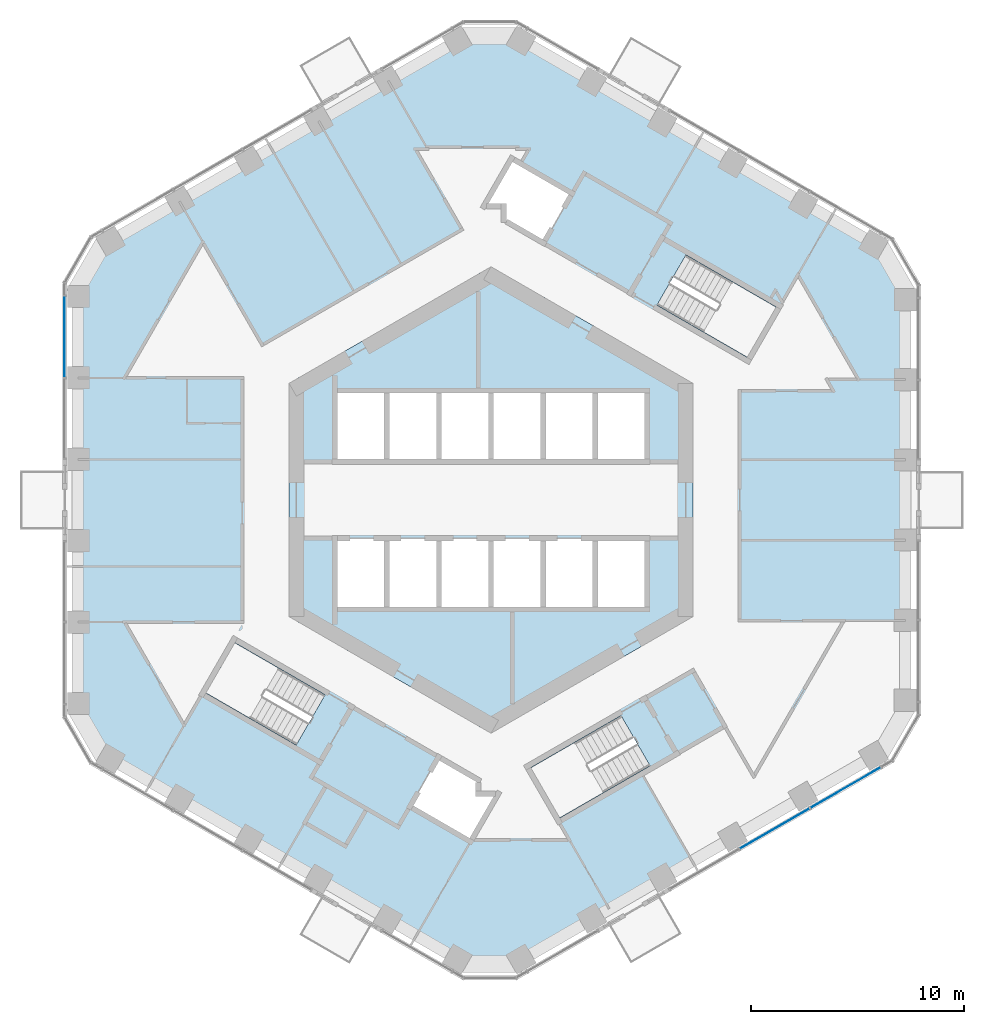
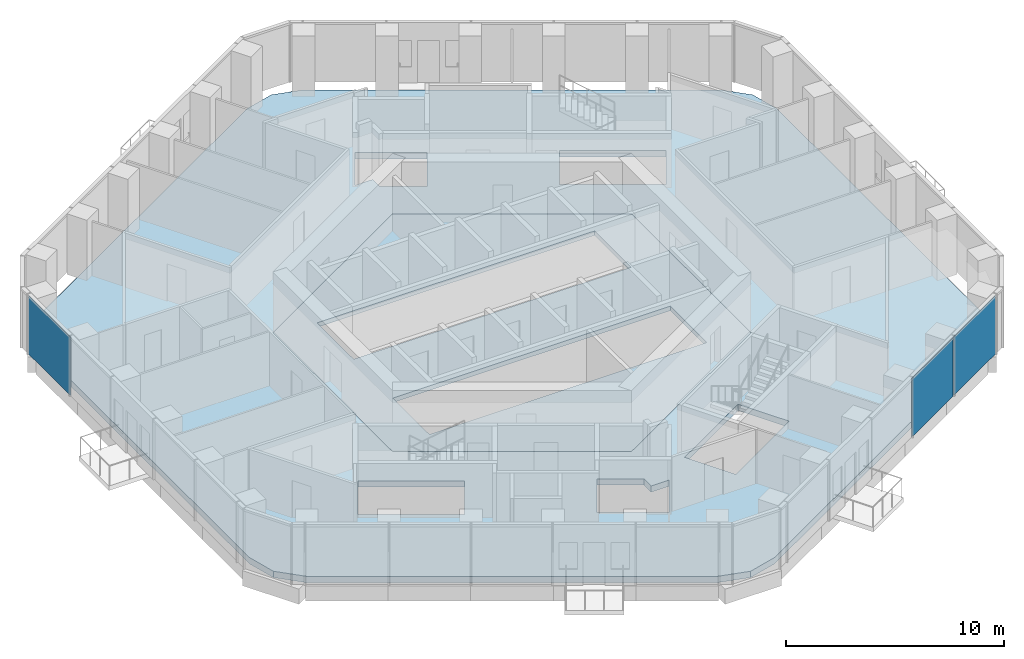
# One storey, part 10 of 20: 3 plates, 2 slabs, 2 elements without a shape of their own.
"""IFC4 building model written with IfcOpenShell, lengths in metres."""

from ifc_helpers import new_model, si_unit, direction, frame, origin, origin_2d, place, context, subcontext, project, spatial, polyline, rectangle, outline, extrude, material, layer, layer_set, type_object, element, aggregate, save


model = new_model("IFC4")

# Units and contexts
model_context = context("Model", 3, precision=1e-05, world=origin(), true_north=direction((0.0, 1.0)))
body_context = subcontext(model_context, "Body", "Model", "MODEL_VIEW")
ifc_project = project(units=[si_unit("LENGTHUNIT", "METRE"), si_unit("AREAUNIT", "SQUARE_METRE"), si_unit("VOLUMEUNIT", "CUBIC_METRE"), si_unit("PLANEANGLEUNIT", "RADIAN"), si_unit("MASSUNIT", "GRAM", prefix="KILO")], contexts=[model_context])

# Site, building, storey
site_placement = place(None, origin())
site = spatial("IfcSite", under=ifc_project, at=site_placement, CompositionType="ELEMENT")
building_placement = place(site_placement, origin())
building = spatial("IfcBuilding", under=site, at=building_placement, Name="Ayvan Gate Tower", CompositionType="ELEMENT")
storey_placement = place(building_placement, frame((0.0, 0.0, 86.5)))
storey = spatial("IfcBuildingStorey", under=building, at=storey_placement, Name="L22", CompositionType="ELEMENT", Elevation=86.5)

# Slabs
ifc_material_1 = material(Name="Concrete C40/50", Category="concrete")
ifc_layer_1 = layer(ifc_material_1, 0.35009765625)
ifc_layer_set_1 = layer_set([ifc_layer_1], Name="Concrete C40/50")
slab_type_1 = type_object("IfcSlabType", Name="Post-tensioned flat slab 350", PredefinedType="FLOOR", material=ifc_layer_set_1)
slab_1_placement = place(storey_placement, frame((0.0, 0.0, -0.35009765625)))
element("IfcSlab", 1, at=slab_1_placement, inside=storey, type_object=slab_type_1, Name="SL-L22", PredefinedType="FLOOR", context=body_context, shape_type="SweptSolid", body=[
    extrude(outline(polyline([(1.440673828125, -21.599609375), (-0.059326171875, -22.001708984375), (-1.559326171875, -21.599609375), (-17.92626953125, -12.150390625), (-19.0244140625, -11.05224609375), (-19.42626953125, -9.55224609375), (-19.42626953125, 9.55224609375), (-19.0244140625, 11.05224609375), (-17.92626953125, 12.150390625), (-1.559326171875, 21.599609375), (-0.059326171875, 22.001708984375), (1.440673828125, 21.599609375), (17.985595703125, 12.047607421875), (19.083740234375, 10.949462890625), (19.485595703125, 9.449462890625), (19.485595703125, -9.449462890625), (19.083740234375, -10.949462890625), (17.985595703125, -12.047607421875), (1.440673828125, -21.599609375)]), holes=[polyline([(12.049560546875, 6.720458984375), (13.404541015625, 9.0673828125), (9.1611328125, 11.517578125), (7.80615234375, 9.170654296875), (12.049560546875, 6.720458984375)]), polyline([(9.5, 5.48486328125), (0.0, 10.9697265625), (-9.5, 5.48486328125), (-9.5, -5.48486328125), (0.0, -10.9697265625), (9.5, -5.48486328125), (9.5, 5.48486328125)]), polyline([(1.873779296875, -12.595458984375), (3.228759765625, -14.9423828125), (7.472412109375, -12.492431640625), (6.117431640625, -10.1455078125), (1.873779296875, -12.595458984375)]), polyline([(0.60009765625, 13.16357421875), (2.472412109375, 12.08251953125), (3.822509765625, 14.420654296875), (0.964599609375, 16.07080078125), (-0.340576171875, 13.81005859375), (0.60009765625, 13.81005859375), (0.60009765625, 13.16357421875)]), polyline([(-0.9248046875, -16.001708984375), (0.340576171875, -13.81005859375), (-0.60009765625, -13.81005859375), (-0.60009765625, -13.16357421875), (-2.472412109375, -12.08251953125), (-3.822509765625, -14.420654296875), (-0.964599609375, -16.07080078125), (-0.9248046875, -16.001708984375)]), polyline([(-9.1611328125, -11.517578125), (-7.80615234375, -9.170654296875), (-12.049560546875, -6.720458984375), (-13.404541015625, -9.0673828125), (-9.1611328125, -11.517578125)])]), origin(), (0.0, 0.0, 1.0), 0.35009765625),
])
ifc_layer_2 = layer(ifc_material_1, 0.25)
ifc_layer_set_2 = layer_set([ifc_layer_2], Name="Concrete C40/50")
slab_type_2 = type_object("IfcSlabType", Name="SL-CORE-250", PredefinedType="FLOOR", material=ifc_layer_set_2)
slab_2_placement = place(storey_placement, frame((0.0, 0.0, -0.25)))
element("IfcSlab", 2, at=slab_2_placement, inside=storey, type_object=slab_type_2, Name="CS-L22", PredefinedType="FLOOR", context=body_context, shape_type="SweptSolid", body=[
    extrude(outline(polyline([(9.5, -5.48486328125), (0.0, -10.9697265625), (-9.5, -5.48486328125), (-9.5, 5.48486328125), (0.0, 10.9697265625), (9.5, 5.48486328125), (9.5, -5.48486328125)]), holes=[polyline([(-7.35009765625, -1.800048828125), (-7.35009765625, -5.14990234375), (7.35009765625, -5.14990234375), (7.35009765625, -1.800048828125), (-7.35009765625, -1.800048828125)]), polyline([(-7.35009765625, 5.14990234375), (-7.35009765625, 1.800048828125), (7.35009765625, 1.800048828125), (7.35009765625, 5.14990234375), (-7.35009765625, 5.14990234375)])]), origin(), (0.0, 0.0, 1.0), 0.25),
])

# Curtain wall, plate
ifc_material_2 = material(Name="Bronze anodised aluminium", Category="aluminium")
ifc_layer_3 = layer(ifc_material_2, 0.199951171875)
ifc_layer_set_3 = layer_set([ifc_layer_3], Name="Bronze anodised aluminium")
curtain_wall_type = type_object("IfcCurtainWallType", Name="Stick curtain wall CW-1", PredefinedType="NOTDEFINED", material=ifc_layer_set_3)
curtain_wall_1_placement = place(storey_placement, origin())
curtain_wall_1 = element("IfcCurtainWall", 3, at=curtain_wall_1_placement, inside=storey, type_object=curtain_wall_type, Name="Stick curtain wall CW-1 L22", PredefinedType="NOTDEFINED")
ifc_material_3 = material(Name="Clear low-iron laminated glass", Category="glass")
ifc_layer_4 = layer(ifc_material_3, 0.028076171875)
ifc_layer_set_4 = layer_set([ifc_layer_4], Name="Clear low-iron laminated glass")
plate_type = type_object("IfcPlateType", Name="Stick curtain wall CW-1 glass panel", PredefinedType="CURTAIN_PANEL", material=ifc_layer_set_4)
plate_1_placement = place(storey_placement, frame((-20.05126953125, 7.68798828125, 0.0), z_axis=(0.0, 0.0, 1.0), x_axis=(0.0, -1.0, 0.0)))
plate_1 = element("IfcPlate", 4, at=plate_1_placement, type_object=plate_type, Name="CW-1 glass panel 1", PredefinedType="CURTAIN_PANEL", context=body_context, shape_type="SweptSolid", body=[
    extrude(rectangle(XDim=3.8330078125, YDim=0.028076171875, at=origin_2d()), origin(), (0.0, 0.0, 1.0), 3.280029296875),
])
aggregate(curtain_wall_1, [plate_1])

# Curtain wall, plates
curtain_wall_2_placement = place(storey_placement, origin())
curtain_wall_2 = element("IfcCurtainWall", 5, at=curtain_wall_2_placement, inside=storey, type_object=curtain_wall_type, Name="Stick curtain wall CW-1 L22", PredefinedType="NOTDEFINED")
plate_2_placement = place(storey_placement, frame((13.34033203125, -15.451171875, 0.0), z_axis=(0.0, 0.0, 1.0), x_axis=(0.866025403784, 0.5, 0.0)))
plate_2 = element("IfcPlate", 6, at=plate_2_placement, type_object=plate_type, Name="CW-1 glass panel 2", PredefinedType="CURTAIN_PANEL", context=body_context, shape_type="SweptSolid", body=[
    extrude(rectangle(XDim=3.76806640625, YDim=0.028076171875, at=origin_2d()), origin(), (0.0, 0.0, 1.0), 3.280029296875),
])
plate_3_placement = place(storey_placement, frame((16.68359375, -13.520751953125, 0.0), z_axis=(0.0, 0.0, 1.0), x_axis=(0.866025403784, 0.5, 0.0)))
plate_3 = element("IfcPlate", 7, at=plate_3_placement, type_object=plate_type, Name="CW-1 glass panel 3", PredefinedType="CURTAIN_PANEL", context=body_context, shape_type="SweptSolid", body=[
    extrude(rectangle(XDim=3.8330078125, YDim=0.028076171875, at=origin_2d()), origin(), (0.0, 0.0, 1.0), 3.280029296875),
])
aggregate(curtain_wall_2, [plate_2, plate_3])

save(model, "model.ifc")
